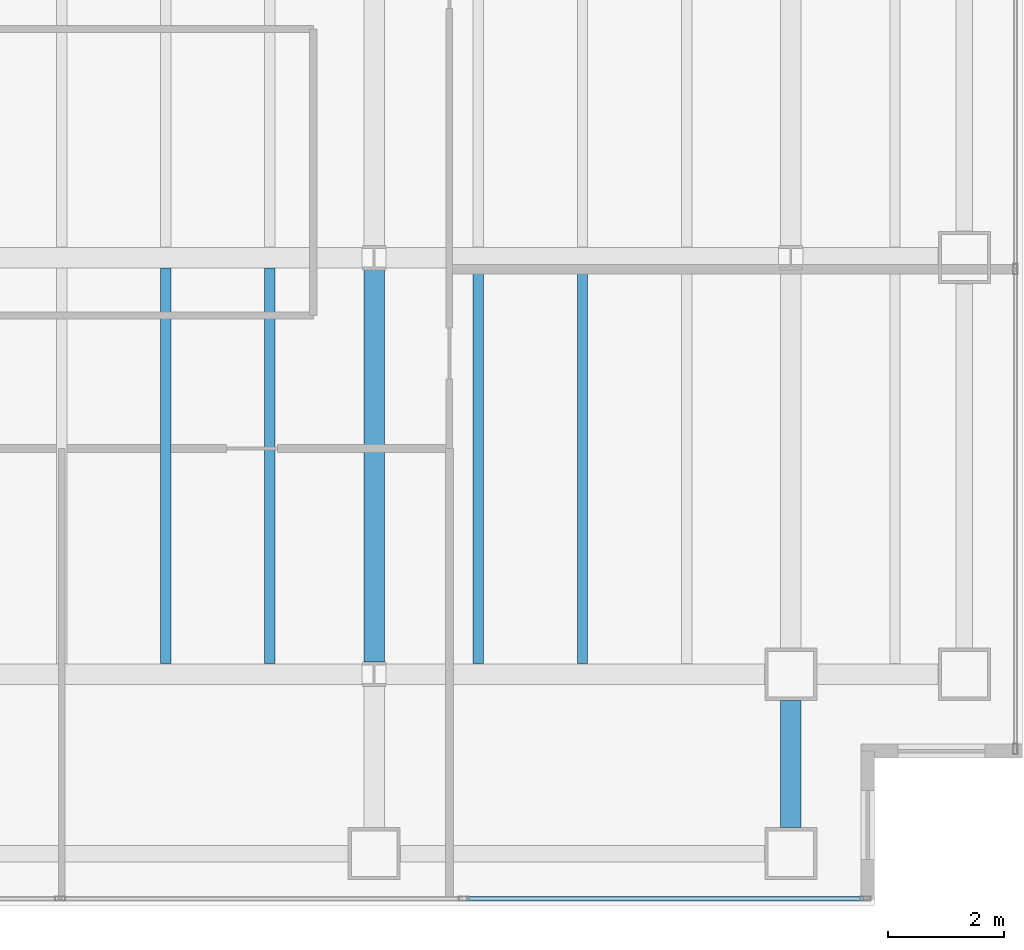
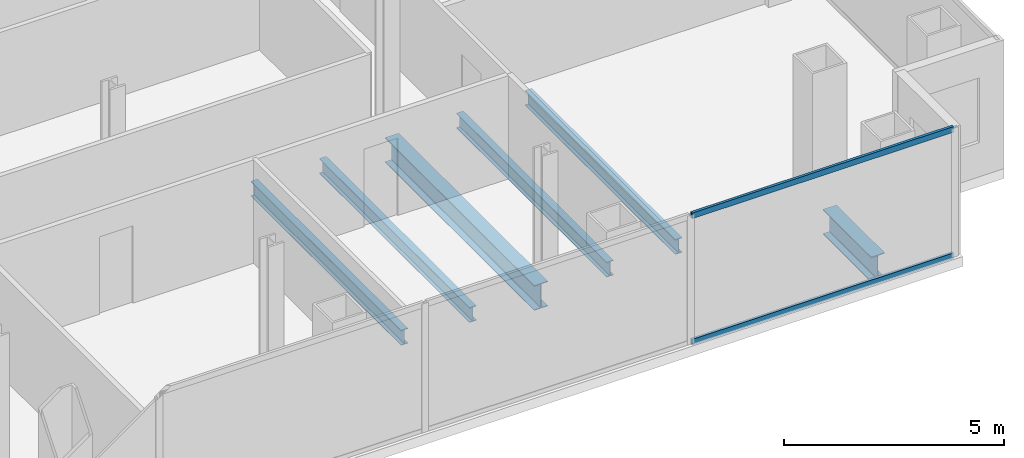
# One storey, part 10 of 24: 6 beams, 2 members, 1 element without a shape of its own.
"""IFC4 building model written with IfcOpenShell, lengths in metres."""

from ifc_helpers import new_model, si_unit, direction, frame, origin, origin_2d, place, context, subcontext, project, spatial, hollow_rectangle, i_section, extrude, material, material_profile, profile_set, type_object, element, aggregate, save


model = new_model("IFC4")

# Units and contexts
model_context = context("Model", 3, precision=1e-05, world=origin(), true_north=direction((0.0, 1.0)))
body_context = subcontext(model_context, "Body", "Model", "MODEL_VIEW")
ifc_project = project(units=[si_unit("LENGTHUNIT", "METRE"), si_unit("AREAUNIT", "SQUARE_METRE"), si_unit("VOLUMEUNIT", "CUBIC_METRE"), si_unit("PLANEANGLEUNIT", "RADIAN"), si_unit("MASSUNIT", "GRAM", prefix="KILO")], contexts=[model_context])

# Site, building, storey
site_placement = place(None, origin())
site = spatial("IfcSite", under=ifc_project, at=site_placement, CompositionType="ELEMENT")
building_placement = place(site_placement, origin())
building = spatial("IfcBuilding", under=site, at=building_placement, Name="Cobrela Telecom Tower", CompositionType="ELEMENT")
storey_placement = place(building_placement, frame((0.0, 0.0, 136.85009765625)))
storey = spatial("IfcBuildingStorey", under=building, at=storey_placement, Name="L34", CompositionType="ELEMENT", Elevation=136.85009765625)

# Beams
ifc_material_1 = material(Name="Steel ASTM A992 Grade 50", Category="steel")
ifc_material_profile_1 = material_profile(ifc_material_1, i_section(OverallWidth=0.35595703125, OverallDepth=0.696044921875, WebThickness=0.015380859375, FlangeThickness=0.024658203125, FilletRadius=0.01806640625, at=origin_2d()), Name="W27X146")
ifc_profile_set_1 = profile_set([ifc_material_profile_1], Name="Steel ASTM A992 Grade 50")
beam_type_1 = type_object("IfcBeamType", Name="BM-GIRD-05", PredefinedType="USERDEFINED", material=ifc_profile_set_1)
beam_1_placement = place(storey_placement, frame((36.0, 7.409423828125, -0.6181640625), z_axis=(0.0, 1.0, 0.0), x_axis=(-1.0, 0.0, 0.0)))
element("IfcBeam", 1, at=beam_1_placement, inside=storey, type_object=beam_type_1, Name="L34 Primary Girder Y50", ObjectType="GIRDER", PredefinedType="USERDEFINED", context=body_context, shape_type="SweptSolid", body=[
    extrude(i_section(OverallWidth=0.35595703125, OverallDepth=0.696044921875, WebThickness=0.015380859375, FlangeThickness=0.024658203125, FilletRadius=0.01806640625, at=origin_2d()), origin(), (0.0, 0.0, 1.0), 6.781005859375),
])
beam_2_placement = place(storey_placement, frame((43.199951171875, 4.554931640625, -0.6181640625), z_axis=(0.0, 1.0, 0.0), x_axis=(-1.0, 0.0, 0.0)))
element("IfcBeam", 2, at=beam_2_placement, inside=storey, type_object=beam_type_1, Name="L34 Primary Girder Y52", ObjectType="GIRDER", PredefinedType="USERDEFINED", context=body_context, shape_type="SweptSolid", body=[
    extrude(i_section(OverallWidth=0.35595703125, OverallDepth=0.696044921875, WebThickness=0.015380859375, FlangeThickness=0.024658203125, FilletRadius=0.01806640625, at=origin_2d()), origin(), (0.0, 0.0, 1.0), 2.190185546875),
])
ifc_material_profile_2 = material_profile(ifc_material_1, i_section(OverallWidth=0.179931640625, OverallDepth=0.4169921875, WebThickness=0.010986328125, FlangeThickness=0.01806640625, FilletRadius=0.011962890625, at=origin_2d()), Name="W16X57")
ifc_profile_set_2 = profile_set([ifc_material_profile_2], Name="Steel ASTM A992 Grade 50")
beam_type_2 = type_object("IfcBeamType", Name="BM-JOIST-04", PredefinedType="JOIST", material=ifc_profile_set_2)
for number, where, z_axis, x_axis, name in (
    (3, (32.39990234375, 7.383056640625, -0.478515625), (0.0, 1.0, 0.0), (-1.0, 0.0, 0.0), "L34 Secondary Composite Floor Beam J29"),
    (4, (34.199951171875, 7.383056640625, -0.478515625), (0.0, 1.0, 0.0), (-1.0, 0.0, 0.0), "L34 Secondary Composite Floor Beam J31"),
    (5, (37.800048828125, 7.383056640625, -0.478515625), (0.0, 1.0, 0.0), (-1.0, 0.0, 0.0), "L34 Secondary Composite Floor Beam J33"),
    (6, (39.60009765625, 7.383056640625, -0.478515625), (0.0, 1.0, 0.0), (-1.0, 0.0, 0.0), "L34 Secondary Composite Floor Beam J35"),
):
    element("IfcBeam", number, at=place(storey_placement, frame(where, z_axis=z_axis, x_axis=x_axis)), inside=storey, type_object=beam_type_2, Name=name, PredefinedType="JOIST", context=body_context, shape_type="SweptSolid", body=[
        extrude(i_section(OverallWidth=0.179931640625, OverallDepth=0.4169921875, WebThickness=0.010986328125, FlangeThickness=0.01806640625, FilletRadius=0.011962890625, at=origin_2d()), origin(), (0.0, 0.0, 1.0), 6.833984375),
    ])

# Curtain wall, members
ifc_material_2 = material(Name="Anodized Bronze Aluminium 6063-T6", Category="aluminium")
curtain_wall_type = type_object("IfcCurtainWallType", Name="CW-SYS-TEL", PredefinedType="USERDEFINED", material=ifc_material_2)
curtain_wall_placement = place(storey_placement, origin())
curtain_wall = element("IfcCurtainWall", 7, at=curtain_wall_placement, inside=storey, type_object=curtain_wall_type, Name="L34 Unitised Bronze Curtain Wall 17", ObjectType="UNITISED CURTAIN WALL", PredefinedType="USERDEFINED")
ifc_material_profile_3 = material_profile(ifc_material_2, hollow_rectangle(XDim=0.070068359375, YDim=0.159912109375, WallThickness=0.00390625, at=origin_2d()), Name="ALU 70x160x4")
ifc_profile_set_3 = profile_set([ifc_material_profile_3], Name="Anodized Bronze Aluminium 6063-T6")
member_type = type_object("IfcMemberType", Name="CW-SYS-TEL-TRN", PredefinedType="USERDEFINED", material=ifc_profile_set_3)
member_1_placement = place(storey_placement, frame((44.455078125, 3.320068359375, 0.034912109375), z_axis=(-1.0, 0.0, 0.0), x_axis=(0.0, -1.0, 0.0)))
member_1 = element("IfcMember", 8, at=member_1_placement, type_object=member_type, Name="CW-TEL transom 1.1", ObjectType="TRANSOM", PredefinedType="USERDEFINED", context=body_context, shape_type="SweptSolid", body=[
    extrude(hollow_rectangle(XDim=0.070068359375, YDim=0.159912109375, WallThickness=0.00390625, at=origin_2d()), origin(), (0.0, 0.0, 1.0), 6.8642578125),
])
member_2_placement = place(storey_placement, frame((44.455078125, 3.320068359375, 3.544921875), z_axis=(-1.0, 0.0, 0.0), x_axis=(0.0, -1.0, 0.0)))
member_2 = element("IfcMember", 9, at=member_2_placement, type_object=member_type, Name="CW-TEL transom 1.2", ObjectType="TRANSOM", PredefinedType="USERDEFINED", context=body_context, shape_type="SweptSolid", body=[
    extrude(hollow_rectangle(XDim=0.070068359375, YDim=0.159912109375, WallThickness=0.00390625, at=origin_2d()), origin(), (0.0, 0.0, 1.0), 6.8642578125),
])
aggregate(curtain_wall, [member_1, member_2])

save(model, "model.ifc")
